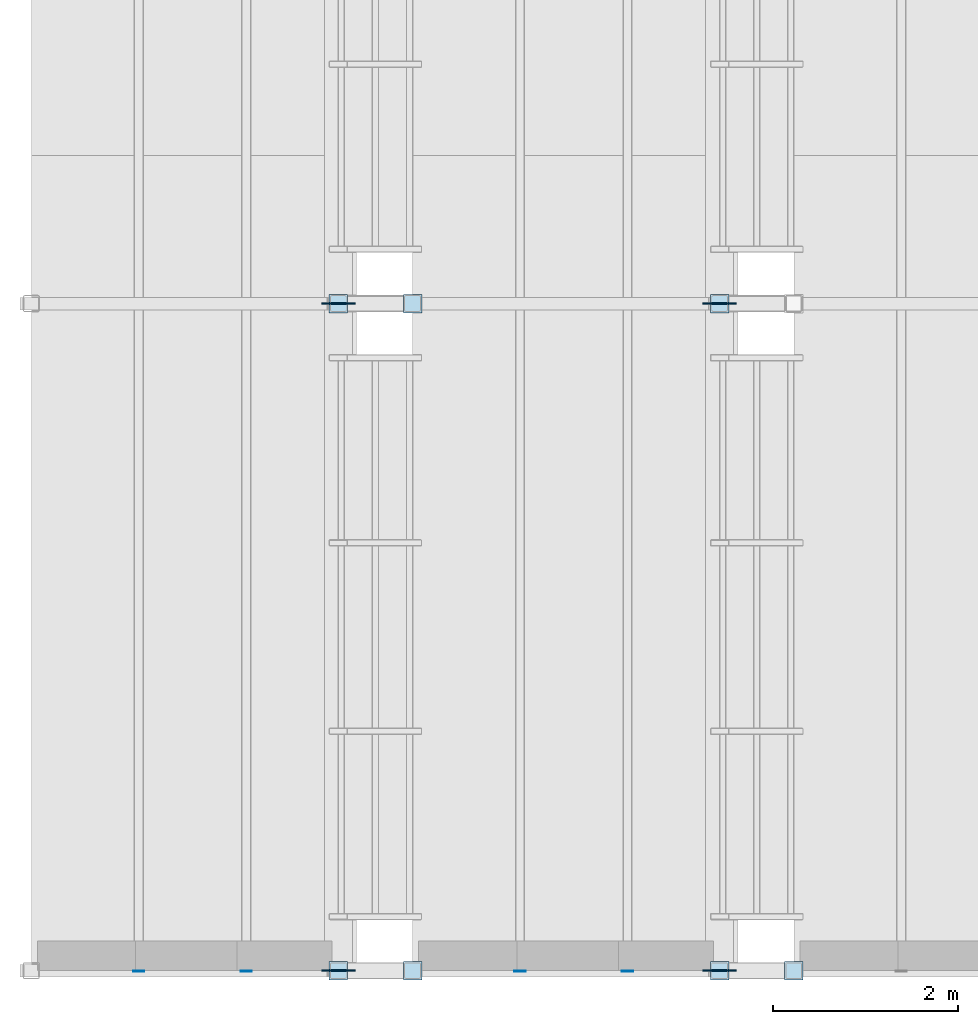
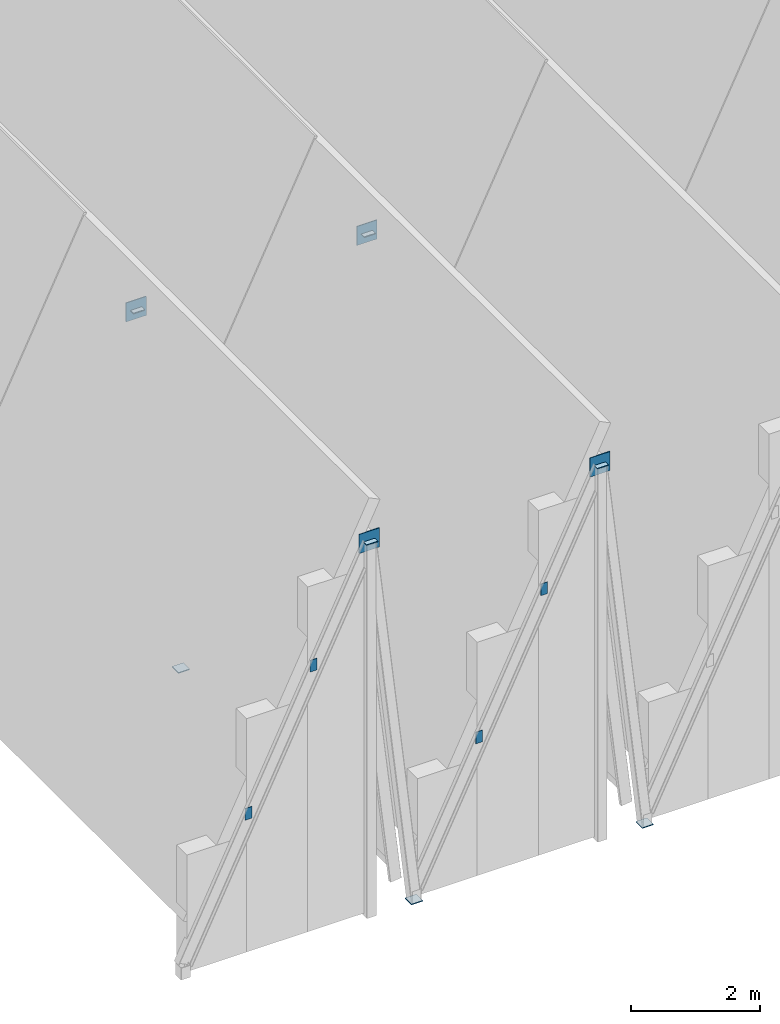
# One storey, part 18 of 28: 15 plates.
"""IFC4 building model written with IfcOpenShell, lengths in metres."""

from ifc_helpers import new_model, si_unit, direction, frame, origin, origin_2d, place, context, subcontext, project, spatial, rectangle, extrude, material, layer, layer_set, type_object, element, save


model = new_model("IFC4")

# Units and contexts
model_context = context("Model", 3, precision=1e-05, world=origin(), true_north=direction((0.0, 1.0)))
body_context = subcontext(model_context, "Body", "Model", "MODEL_VIEW")
ifc_project = project(units=[si_unit("LENGTHUNIT", "METRE"), si_unit("AREAUNIT", "SQUARE_METRE"), si_unit("VOLUMEUNIT", "CUBIC_METRE"), si_unit("PLANEANGLEUNIT", "RADIAN"), si_unit("MASSUNIT", "GRAM", prefix="KILO")], contexts=[model_context])

# Site, building, storey
site_placement = place(None, origin())
site = spatial("IfcSite", under=ifc_project, at=site_placement, CompositionType="ELEMENT")
building_placement = place(site_placement, origin())
building = spatial("IfcBuilding", under=site, at=building_placement, Name="Bramveld Media Centre", CompositionType="ELEMENT")
storey_placement = place(building_placement, frame((0.0, 0.0, 33.89990234375)))
storey = spatial("IfcBuildingStorey", under=building, at=storey_placement, Name="ROOF", CompositionType="ELEMENT", Elevation=33.89990234375)

# Plates
ifc_material_1 = material(Name="Steel S355J2", Category="steel")
ifc_layer_1 = layer(ifc_material_1, 0.010009765625)
ifc_layer_set_1 = layer_set([ifc_layer_1], Name="Steel S355J2")
plate_type_1 = type_object("IfcPlateType", Name="PLT-CAP-10", PredefinedType="USERDEFINED", material=ifc_layer_set_1)
for number, where, z_axis, x_axis, name in (
    (1, (132.360107421875, 83.2001953125, 2.61083984375), (0.0, -1.0, 0.0), (1.0, 0.0, 0.0), "Hollow section end cap plate CAP-CPURL-B01-35-S"),
    (2, (133.52001953125, 83.2001953125, 4.997802734375), (0.0, -1.0, 0.0), (1.0, 0.0, 0.0), "Hollow section end cap plate CAP-CPURL-B01-70-S"),
    (3, (136.474365234375, 83.2001953125, 2.61083984375), (0.0, -1.0, 0.0), (1.0, 0.0, 0.0), "Hollow section end cap plate CAP-CPURL-B02-35-S"),
    (4, (137.63427734375, 83.2001953125, 4.997802734375), (0.0, -1.0, 0.0), (1.0, 0.0, 0.0), "Hollow section end cap plate CAP-CPURL-B02-70-S"),
):
    element("IfcPlate", number, at=place(storey_placement, frame(where, z_axis=z_axis, x_axis=x_axis)), inside=storey, type_object=plate_type_1, Name=name, ObjectType="CAP PLATE", PredefinedType="USERDEFINED", context=body_context, shape_type="SweptSolid", body=[
        extrude(rectangle(XDim=0.1201171875, YDim=0.219970703125, at=origin_2d()), origin(), (0.0, 0.0, 1.0), 0.010009765625),
    ])
ifc_material_2 = material(Name="Steel S355J2", Category="steel")
ifc_layer_2 = layer(ifc_material_2, 0.013916015625)
ifc_layer_set_2 = layer_set([ifc_layer_2], Name="Steel S355J2")
plate_type_2 = type_object("IfcPlateType", Name="PLT-CAP-14", PredefinedType="USERDEFINED", material=ifc_layer_set_2)
for number, where, z_axis, x_axis, name in (
    (5, (134.513427734375, 83.199951171875, 6.99462890625), (0.0, 0.0, 1.0), (1.0, 0.0, 0.0), "Hollow section end cap plate CAP-CRN-FR-B01-F1"),
    (6, (135.315185546875, 83.199951171875, -0.0498046875), (0.0, 0.0, -1.0), (1.0, 0.0, 0.0), "Hollow section end cap plate CAP-CRN-FR-B01-F1-R"),
    (7, (134.513427734375, 90.39990234375, 6.99462890625), (0.0, 0.0, 1.0), (1.0, 0.0, 0.0), "Hollow section end cap plate CAP-CRN-FR-B01-F2"),
    (8, (135.315185546875, 90.39990234375, -0.0498046875), (0.0, 0.0, -1.0), (1.0, 0.0, 0.0), "Hollow section end cap plate CAP-CRN-FR-B01-F2-R"),
    (9, (138.627685546875, 83.199951171875, 6.99462890625), (0.0, 0.0, 1.0), (1.0, 0.0, 0.0), "Hollow section end cap plate CAP-CRN-FR-B02-F1"),
    (10, (139.429443359375, 83.199951171875, -0.0498046875), (0.0, 0.0, -1.0), (1.0, 0.0, 0.0), "Hollow section end cap plate CAP-CRN-FR-B02-F1-R"),
    (11, (138.627685546875, 90.39990234375, 6.99462890625), (0.0, 0.0, 1.0), (1.0, 0.0, 0.0), "Hollow section end cap plate CAP-CRN-FR-B02-F2"),
):
    element("IfcPlate", number, at=place(storey_placement, frame(where, z_axis=z_axis, x_axis=x_axis)), inside=storey, type_object=plate_type_2, Name=name, ObjectType="CAP PLATE", PredefinedType="USERDEFINED", context=body_context, shape_type="SweptSolid", body=[
        extrude(rectangle(XDim=0.199951171875, YDim=0.199951171875, at=origin_2d()), origin(), (0.0, 0.0, 1.0), 0.013916015625),
    ])
ifc_material_3 = material(Name="Steel S355J2", Category="steel")
ifc_layer_3 = layer(ifc_material_3, 0.01611328125)
ifc_layer_set_3 = layer_set([ifc_layer_3], Name="Steel S355J2")
plate_type_3 = type_object("IfcPlateType", Name="PLT-GUSSET-CRN16", PredefinedType="USERDEFINED", material=ifc_layer_set_3)
for number, where, z_axis, x_axis, name in (
    (12, (134.514404296875, 83.199951171875, 6.81494140625), (0.0, 0.0, 1.0), (1.0, 0.0, 0.0), "CRN-FR-B01-F1 ridge gusset plate"),
    (13, (134.514404296875, 90.39990234375, 6.81494140625), (0.0, 0.0, 1.0), (1.0, 0.0, 0.0), "CRN-FR-B01-F2 ridge gusset plate"),
    (14, (138.628662109375, 83.199951171875, 6.81494140625), (0.0, 0.0, 1.0), (1.0, 0.0, 0.0), "CRN-FR-B02-F1 ridge gusset plate"),
    (15, (138.628662109375, 90.39990234375, 6.81494140625), (0.0, 0.0, 1.0), (1.0, 0.0, 0.0), "CRN-FR-B02-F2 ridge gusset plate"),
):
    element("IfcPlate", number, at=place(storey_placement, frame(where, z_axis=z_axis, x_axis=x_axis)), inside=storey, type_object=plate_type_3, Name=name, ObjectType="GUSSET PLATE", PredefinedType="USERDEFINED", context=body_context, shape_type="SweptSolid", body=[
        extrude(rectangle(XDim=0.360107421875, YDim=0.01611328125, at=origin_2d()), origin(), (0.0, 0.0, 1.0), 0.360107421875),
    ])

save(model, "model.ifc")
